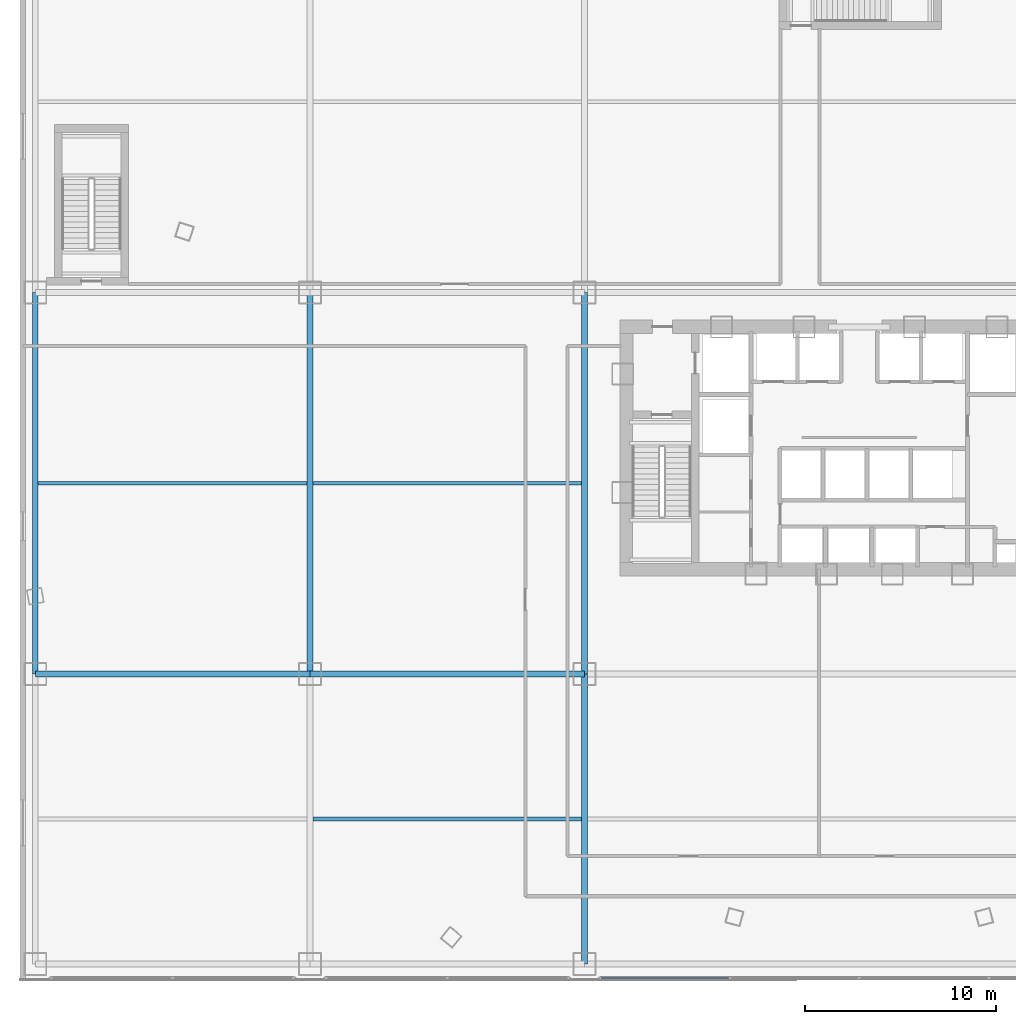
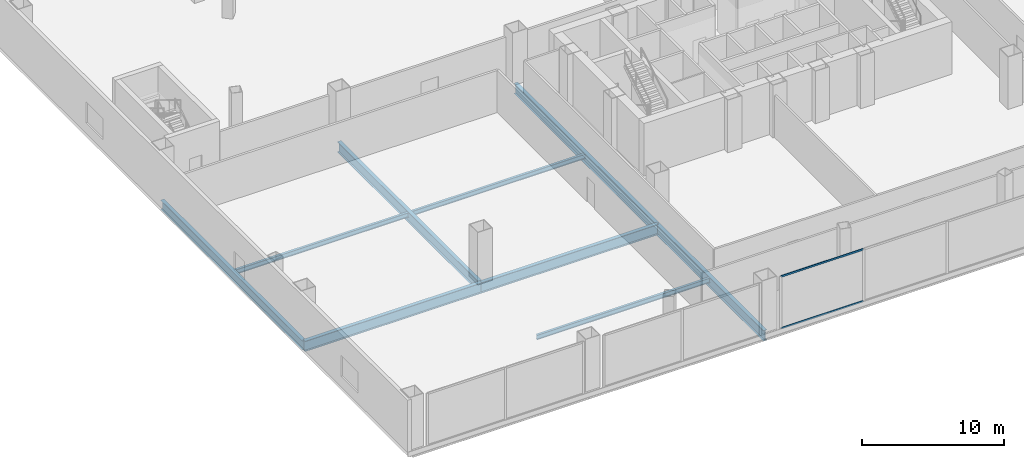
# One storey, part 6 of 27: 9 beams, 2 members, 1 element without a shape of its own.
"""IFC4 building model written with IfcOpenShell, lengths in metres."""

from ifc_helpers import new_model, si_unit, direction, frame, origin, origin_2d, place, context, subcontext, project, spatial, hollow_rectangle, i_section, extrude, source, transform, mapped, material, layer, layer_set, material_profile, profile_set, type_object, element, aggregate, save


model = new_model("IFC4")

# Units and contexts
model_context = context("Model", 3, precision=1e-05, world=origin(), true_north=direction((0.0, 1.0)))
body_context = subcontext(model_context, "Body", "Model", "MODEL_VIEW")
ifc_project = project(units=[si_unit("LENGTHUNIT", "METRE"), si_unit("AREAUNIT", "SQUARE_METRE"), si_unit("VOLUMEUNIT", "CUBIC_METRE"), si_unit("PLANEANGLEUNIT", "RADIAN"), si_unit("MASSUNIT", "GRAM", prefix="KILO"), si_unit("THERMODYNAMICTEMPERATUREUNIT", "KELVIN"), si_unit("POWERUNIT", "WATT")], contexts=[model_context])

# Site, building, storey
site_placement = place(None, origin())
site = spatial("IfcSite", under=ifc_project, at=site_placement, CompositionType="ELEMENT")
building_placement = place(site_placement, origin())
building = spatial("IfcBuilding", under=site, at=building_placement, Name="Yunzhuo Pagoda Commons", CompositionType="ELEMENT")
storey_placement = place(building_placement, frame((0.0, 0.0, 9.60009765625)))
storey = spatial("IfcBuildingStorey", under=building, at=storey_placement, Name="L03", CompositionType="ELEMENT", Elevation=9.60009765625)

# Beams
ifc_material_1 = material(Name="Structural steel Q355B", Category="steel")
ifc_material_profile_1 = material_profile(ifc_material_1, i_section(OverallWidth=0.300048828125, OverallDepth=0.89990234375, WebThickness=0.01611328125, FlangeThickness=0.028076171875, at=origin_2d()), Name="Structural steel Q355B")
ifc_profile_set_1 = profile_set([ifc_material_profile_1], Name="Structural steel Q355B")
beam_type_1 = type_object("IfcBeamType", Name="B-PD1 Beam HN 900x300x16x28", PredefinedType="BEAM", material=ifc_profile_set_1)
shared_shape_1 = source(origin(), body_context, "Body", "SweptSolid", [
    extrude(i_section(OverallWidth=0.300048828125, OverallDepth=0.89990234375, WebThickness=0.01611328125, FlangeThickness=0.028076171875, at=origin_2d()), origin(), (0.0, 0.0, 1.0), 14.39990234375),
])
beam_1_placement = place(storey_placement, frame((4.800048828125, 22.0, -0.72998046875), z_axis=(1.0, 0.0, 0.0), x_axis=(0.0, 1.0, 0.0)))
element("IfcBeam", 1, at=beam_1_placement, inside=storey, type_object=beam_type_1, Name="L03 podium girder EW 2.1", PredefinedType="BEAM", context=body_context, shape_type="MappedRepresentation", body=[
    mapped(shared_shape_1, transform((0.0, 0.0, 0.0), scale=1.0)),
])
shared_shape_2 = source(origin(), body_context, "Body", "SweptSolid", [
    extrude(i_section(OverallWidth=0.300048828125, OverallDepth=0.89990234375, WebThickness=0.01611328125, FlangeThickness=0.028076171875, at=origin_2d()), origin(), (0.0, 0.0, 1.0), 14.400146484375),
])
beam_2_placement = place(storey_placement, frame((19.199951171875, 22.0, -0.72998046875), z_axis=(1.0, 0.0, 0.0), x_axis=(0.0, 1.0, 0.0)))
element("IfcBeam", 2, at=beam_2_placement, inside=storey, type_object=beam_type_1, Name="L03 podium girder EW 2.2", PredefinedType="BEAM", context=body_context, shape_type="MappedRepresentation", body=[
    mapped(shared_shape_2, transform((0.0, 0.0, 0.0), scale=1.0)),
])
ifc_material_profile_2 = material_profile(ifc_material_1, i_section(OverallWidth=0.199951171875, OverallDepth=0.39990234375, WebThickness=0.008056640625, FlangeThickness=0.012939453125, at=origin_2d()), Name="Structural steel Q355B")
ifc_profile_set_2 = profile_set([ifc_material_profile_2], Name="Structural steel Q355B")
beam_type_2 = type_object("IfcBeamType", Name="B-JS1 Joist HN 400x200x8x13", PredefinedType="JOIST", material=ifc_profile_set_2)
shared_shape_3 = source(origin(), body_context, "Body", "SweptSolid", [
    extrude(i_section(OverallWidth=0.199951171875, OverallDepth=0.39990234375, WebThickness=0.008056640625, FlangeThickness=0.012939453125, at=origin_2d()), origin(), (0.0, 0.0, 1.0), 14.08984375),
])
for number, where, z_axis, x_axis, name in (
    (3, (4.955078125, 32.0, -0.47998046875), (1.0, 0.0, 0.0), (0.0, 1.0, 0.0), "L03 podium composite joist 1.2"),
    (4, (19.355224609375, 14.39990234375, -0.47998046875), (1.0, 0.0, 0.0), (0.0, 1.0, 0.0), "L03 podium composite joist 2.1"),
    (5, (19.355224609375, 32.0, -0.47998046875), (1.0, 0.0, 0.0), (0.0, 1.0, 0.0), "L03 podium composite joist 2.2"),
):
    element("IfcBeam", number, at=place(storey_placement, frame(where, z_axis=z_axis, x_axis=x_axis)), inside=storey, type_object=beam_type_2, Name=name, PredefinedType="JOIST", context=body_context, shape_type="MappedRepresentation", body=[
        mapped(shared_shape_3, transform((0.0, 0.0, 0.0), scale=1.0)),
    ])
ifc_material_profile_3 = material_profile(ifc_material_1, i_section(OverallWidth=0.300048828125, OverallDepth=0.800048828125, WebThickness=0.013916015625, FlangeThickness=0.02587890625, at=origin_2d()), Name="Structural steel Q355B")
ifc_profile_set_3 = profile_set([ifc_material_profile_3], Name="Structural steel Q355B")
beam_type_3 = type_object("IfcBeamType", Name="B-PD2 Beam HN 800x300x14x26", PredefinedType="BEAM", material=ifc_profile_set_3)
shared_shape_4 = source(origin(), body_context, "Body", "SweptSolid", [
    extrude(i_section(OverallWidth=0.300048828125, OverallDepth=0.800048828125, WebThickness=0.013916015625, FlangeThickness=0.02587890625, at=origin_2d()), origin(), (0.0, 0.0, 1.0), 20.0),
])
beam_3_placement = place(storey_placement, frame((4.800048828125, 22.0, -0.68017578125), z_axis=(0.0, 1.0, 0.0), x_axis=(-1.0, 0.0, 0.0)))
element("IfcBeam", 6, at=beam_3_placement, inside=storey, type_object=beam_type_3, Name="L03 podium girder NS 1.2", PredefinedType="BEAM", context=body_context, shape_type="MappedRepresentation", body=[
    mapped(shared_shape_4, transform((0.0, 0.0, 0.0), scale=1.0)),
])
shared_shape_5 = source(origin(), body_context, "Body", "SweptSolid", [
    extrude(i_section(OverallWidth=0.300048828125, OverallDepth=0.89990234375, WebThickness=0.01611328125, FlangeThickness=0.028076171875, at=origin_2d()), origin(), (0.0, 0.0, 1.0), 15.199951171875),
])
beam_4_placement = place(storey_placement, frame((33.60009765625, 6.800048828125, -0.72998046875), z_axis=(0.0, 1.0, 0.0), x_axis=(-1.0, 0.0, 0.0)))
element("IfcBeam", 7, at=beam_4_placement, inside=storey, type_object=beam_type_1, Name="L03 podium girder NS 3.1", PredefinedType="BEAM", context=body_context, shape_type="MappedRepresentation", body=[
    mapped(shared_shape_5, transform((0.0, 0.0, 0.0), scale=1.0)),
])
shared_shape_6 = source(origin(), body_context, "Body", "SweptSolid", [
    extrude(i_section(OverallWidth=0.300048828125, OverallDepth=0.89990234375, WebThickness=0.01611328125, FlangeThickness=0.028076171875, at=origin_2d()), origin(), (0.0, 0.0, 1.0), 20.0),
])
for number, where, z_axis, x_axis, name in (
    (8, (19.199951171875, 22.0, -0.72998046875), (0.0, 1.0, 0.0), (-1.0, 0.0, 0.0), "L03 podium girder NS 2.2"),
    (9, (33.60009765625, 22.0, -0.72998046875), (0.0, 1.0, 0.0), (-1.0, 0.0, 0.0), "L03 podium girder NS 3.2"),
):
    element("IfcBeam", number, at=place(storey_placement, frame(where, z_axis=z_axis, x_axis=x_axis)), inside=storey, type_object=beam_type_1, Name=name, PredefinedType="BEAM", context=body_context, shape_type="MappedRepresentation", body=[
        mapped(shared_shape_6, transform((0.0, 0.0, 0.0), scale=1.0)),
    ])

# Curtain wall, members
ifc_material_2 = material(Name="Anodized aluminium 6063-T6", Category="aluminium")
ifc_layer = layer(ifc_material_2, 0.179931640625)
ifc_layer_set = layer_set([ifc_layer], Name="Anodized aluminium 6063-T6")
curtain_wall_type = type_object("IfcCurtainWallType", Name="CW-POD Waterfront Podium Curtain Wall", PredefinedType="NOTDEFINED", material=ifc_layer_set)
curtain_wall_placement = place(storey_placement, origin())
curtain_wall = element("IfcCurtainWall", 10, at=curtain_wall_placement, inside=storey, type_object=curtain_wall_type, Name="L03 curtain wall CW-L03-S3", PredefinedType="NOTDEFINED")
ifc_material_profile_4 = material_profile(ifc_material_2, hollow_rectangle(XDim=0.06005859375, YDim=0.14990234375, WallThickness=0.00390625, at=origin_2d()), Name="Anodized aluminium 6063-T6")
ifc_profile_set_4 = profile_set([ifc_material_profile_4], Name="Anodized aluminium 6063-T6")
member_type = type_object("IfcMemberType", Name="CW-POD-T Transom RHS 150x60x4", PredefinedType="USERDEFINED", material=ifc_profile_set_4)
shared_shape_7 = source(origin(), body_context, "Body", "SweptSolid", [
    extrude(hollow_rectangle(XDim=0.06005859375, YDim=0.14990234375, WallThickness=0.00390625, at=origin_2d()), origin(), (0.0, 0.0, 1.0), 6.70263671875),
])
member_1_placement = place(storey_placement, frame((34.465087890625, 6.080078125, 0.02978515625), z_axis=(1.0, 0.0, 0.0), x_axis=(0.0, 1.0, 0.0)))
member_1 = element("IfcMember", 11, at=member_1_placement, type_object=member_type, Name="CW transom 1.1", ObjectType="TRANSOM", PredefinedType="USERDEFINED", context=body_context, shape_type="MappedRepresentation", body=[
    mapped(shared_shape_7, transform((0.0, 0.0, 0.0), scale=1.0)),
])
member_2_placement = place(storey_placement, frame((34.465087890625, 6.080078125, 4.489990234375), z_axis=(1.0, 0.0, 0.0), x_axis=(0.0, 1.0, 0.0)))
member_2 = element("IfcMember", 12, at=member_2_placement, type_object=member_type, Name="CW transom 1.2", ObjectType="TRANSOM", PredefinedType="USERDEFINED", context=body_context, shape_type="MappedRepresentation", body=[
    mapped(shared_shape_7, transform((0.0, 0.0, 0.0), scale=1.0)),
])
aggregate(curtain_wall, [member_1, member_2])

save(model, "model.ifc")
